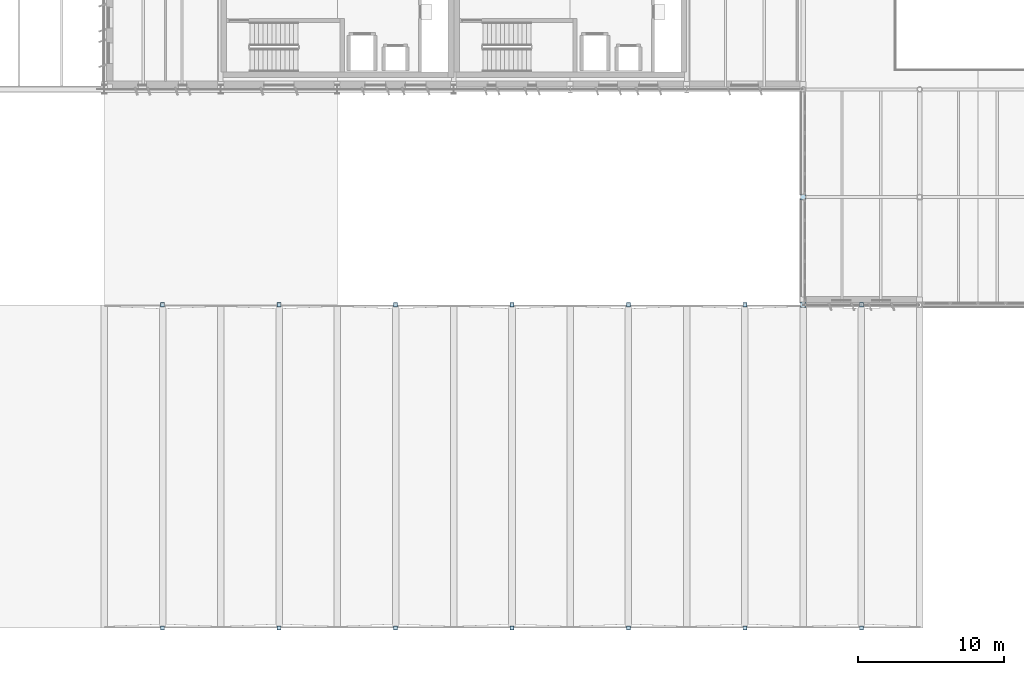
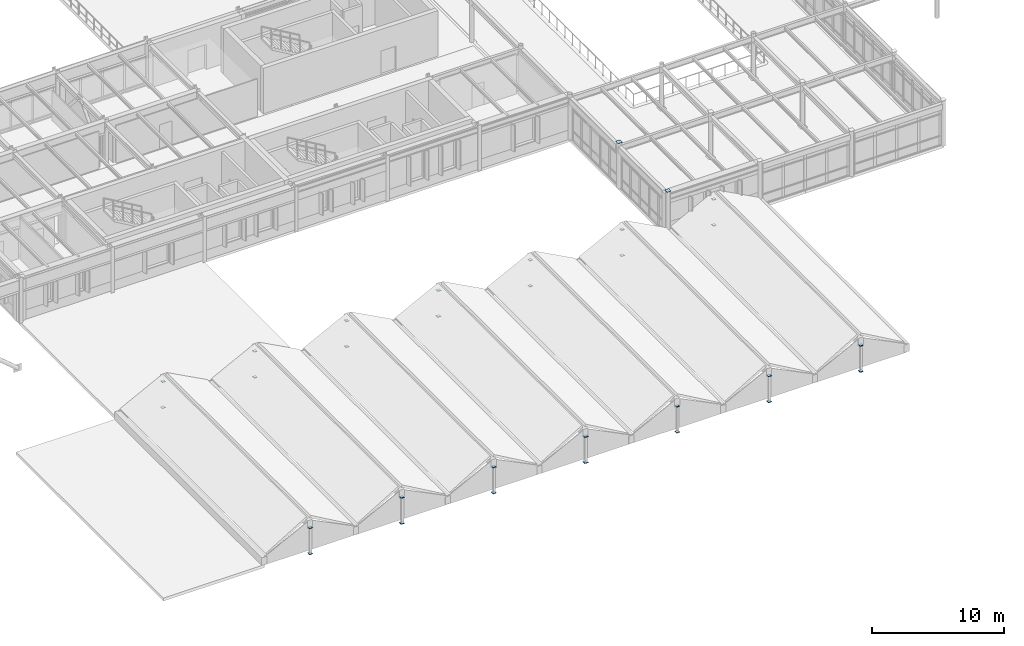
# One storey, part 34 of 63: 30 plates.
"""IFC4 building model written with IfcOpenShell, lengths in metres."""

from ifc_helpers import new_model, si_unit, direction, frame, origin, origin_2d, place, context, subcontext, project, spatial, rectangle, extrude, material, layer, layer_set, type_object, element, save


model = new_model("IFC4")

# Units and contexts
model_context = context("Model", 3, precision=1e-05, world=origin(), true_north=direction((0.0, 1.0)))
body_context = subcontext(model_context, "Body", "Model", "MODEL_VIEW")
ifc_project = project(units=[si_unit("LENGTHUNIT", "METRE"), si_unit("AREAUNIT", "SQUARE_METRE"), si_unit("VOLUMEUNIT", "CUBIC_METRE"), si_unit("PLANEANGLEUNIT", "RADIAN"), si_unit("MASSUNIT", "GRAM", prefix="KILO")], contexts=[model_context])

# Site, building, storey
site_placement = place(None, origin())
site = spatial("IfcSite", under=ifc_project, at=site_placement, CompositionType="ELEMENT")
building_placement = place(site_placement, origin())
building = spatial("IfcBuilding", under=site, at=building_placement, Name="Valkorina Park Police Headquarters", CompositionType="ELEMENT")
storey_placement = place(building_placement, frame((0.0, 0.0, 9.89990234375)))
storey = spatial("IfcBuildingStorey", under=building, at=storey_placement, Name="L03", CompositionType="ELEMENT", Elevation=9.89990234375)

# Plates
ifc_material = material(Name="Steel S355", Category="steel")
ifc_layer = layer(ifc_material, 0.02001953125)
ifc_layer_set = layer_set([ifc_layer], Name="Steel S355")
plate_type = type_object("IfcPlateType", Name="PL-ENDCAP-20", PredefinedType="USERDEFINED", material=ifc_layer_set)
for number, where, z_axis, x_axis, name in (
    (1, (56.800048828125, 22.199951171875, 4.2001953125), (0.0, 0.0, 1.0), (1.0, 0.0, 0.0), "Hollow Column Top End Cap Plate 6"),
    (2, (56.800048828125, 29.60009765625, 4.2001953125), (0.0, 0.0, 1.0), (1.0, 0.0, 0.0), "Hollow Column Top End Cap Plate 7"),
):
    element("IfcPlate", number, at=place(storey_placement, frame(where, z_axis=z_axis, x_axis=x_axis)), inside=storey, type_object=plate_type, Name=name, ObjectType="END CAP PLATE", PredefinedType="USERDEFINED", context=body_context, shape_type="SweptSolid", body=[
        extrude(rectangle(XDim=0.3798828125, YDim=0.3798828125, at=origin_2d()), origin(), (0.0, 0.0, 1.0), 0.02001953125),
    ])
for number, where, z_axis, x_axis, name in (
    (3, (12.800048828125, 0.0, -0.35986328125), (0.0, 0.0, 1.0), (1.0, 0.0, 0.0), "V1 Gable Strut Base End Cap Plate 23"),
    (4, (12.800048828125, 0.0, 2.030517578125), (0.0, 0.0, 1.0), (1.0, 0.0, 0.0), "V1 Gable Strut Top End Cap Plate 24"),
    (5, (12.800048828125, 22.199951171875, -0.35986328125), (0.0, 0.0, 1.0), (1.0, 0.0, 0.0), "V1 Gable Strut Base End Cap Plate 25"),
    (6, (12.800048828125, 22.199951171875, 2.030517578125), (0.0, 0.0, 1.0), (1.0, 0.0, 0.0), "V1 Gable Strut Top End Cap Plate 26"),
    (7, (20.800048828125, 0.0, -0.35986328125), (0.0, 0.0, 1.0), (1.0, 0.0, 0.0), "V1 Gable Strut Base End Cap Plate 27"),
    (8, (20.800048828125, 0.0, 2.030517578125), (0.0, 0.0, 1.0), (1.0, 0.0, 0.0), "V1 Gable Strut Top End Cap Plate 28"),
    (9, (20.800048828125, 22.199951171875, -0.35986328125), (0.0, 0.0, 1.0), (1.0, 0.0, 0.0), "V1 Gable Strut Base End Cap Plate 29"),
    (10, (20.800048828125, 22.199951171875, 2.030517578125), (0.0, 0.0, 1.0), (1.0, 0.0, 0.0), "V1 Gable Strut Top End Cap Plate 30"),
    (11, (28.800048828125, 0.0, -0.35986328125), (0.0, 0.0, 1.0), (1.0, 0.0, 0.0), "V1 Gable Strut Base End Cap Plate 31"),
    (12, (28.800048828125, 0.0, 2.030517578125), (0.0, 0.0, 1.0), (1.0, 0.0, 0.0), "V1 Gable Strut Top End Cap Plate 32"),
    (13, (28.800048828125, 22.199951171875, -0.35986328125), (0.0, 0.0, 1.0), (1.0, 0.0, 0.0), "V1 Gable Strut Base End Cap Plate 33"),
    (14, (28.800048828125, 22.199951171875, 2.030517578125), (0.0, 0.0, 1.0), (1.0, 0.0, 0.0), "V1 Gable Strut Top End Cap Plate 34"),
    (15, (36.800048828125, 0.0, -0.35986328125), (0.0, 0.0, 1.0), (1.0, 0.0, 0.0), "V1 Gable Strut Base End Cap Plate 35"),
    (16, (36.800048828125, 0.0, 2.030517578125), (0.0, 0.0, 1.0), (1.0, 0.0, 0.0), "V1 Gable Strut Top End Cap Plate 36"),
    (17, (36.800048828125, 22.199951171875, -0.35986328125), (0.0, 0.0, 1.0), (1.0, 0.0, 0.0), "V1 Gable Strut Base End Cap Plate 37"),
    (18, (36.800048828125, 22.199951171875, 2.030517578125), (0.0, 0.0, 1.0), (1.0, 0.0, 0.0), "V1 Gable Strut Top End Cap Plate 38"),
    (19, (44.800048828125, 0.0, -0.35986328125), (0.0, 0.0, 1.0), (1.0, 0.0, 0.0), "V1 Gable Strut Base End Cap Plate 39"),
    (20, (44.800048828125, 0.0, 2.030517578125), (0.0, 0.0, 1.0), (1.0, 0.0, 0.0), "V1 Gable Strut Top End Cap Plate 40"),
    (21, (44.800048828125, 22.199951171875, -0.35986328125), (0.0, 0.0, 1.0), (1.0, 0.0, 0.0), "V1 Gable Strut Base End Cap Plate 41"),
    (22, (44.800048828125, 22.199951171875, 2.030517578125), (0.0, 0.0, 1.0), (1.0, 0.0, 0.0), "V1 Gable Strut Top End Cap Plate 42"),
    (23, (52.800048828125, 0.0, -0.35986328125), (0.0, 0.0, 1.0), (1.0, 0.0, 0.0), "V1 Gable Strut Base End Cap Plate 43"),
    (24, (52.800048828125, 0.0, 2.030517578125), (0.0, 0.0, 1.0), (1.0, 0.0, 0.0), "V1 Gable Strut Top End Cap Plate 44"),
    (25, (52.800048828125, 22.199951171875, -0.35986328125), (0.0, 0.0, 1.0), (1.0, 0.0, 0.0), "V1 Gable Strut Base End Cap Plate 45"),
    (26, (52.800048828125, 22.199951171875, 2.030517578125), (0.0, 0.0, 1.0), (1.0, 0.0, 0.0), "V1 Gable Strut Top End Cap Plate 46"),
    (27, (60.800048828125, 0.0, -0.35986328125), (0.0, 0.0, 1.0), (1.0, 0.0, 0.0), "V1 Gable Strut Base End Cap Plate 47"),
    (28, (60.800048828125, 0.0, 2.030517578125), (0.0, 0.0, 1.0), (1.0, 0.0, 0.0), "V1 Gable Strut Top End Cap Plate 48"),
    (29, (60.800048828125, 22.199951171875, -0.35986328125), (0.0, 0.0, 1.0), (1.0, 0.0, 0.0), "V1 Gable Strut Base End Cap Plate 49"),
    (30, (60.800048828125, 22.199951171875, 2.030517578125), (0.0, 0.0, 1.0), (1.0, 0.0, 0.0), "V1 Gable Strut Top End Cap Plate 50"),
):
    element("IfcPlate", number, at=place(storey_placement, frame(where, z_axis=z_axis, x_axis=x_axis)), inside=storey, type_object=plate_type, Name=name, ObjectType="END CAP PLATE", PredefinedType="USERDEFINED", context=body_context, shape_type="SweptSolid", body=[
        extrude(rectangle(XDim=0.280029296875, YDim=0.280029296875, at=origin_2d()), origin(), (0.0, 0.0, 1.0), 0.02001953125),
    ])

save(model, "model.ifc")
